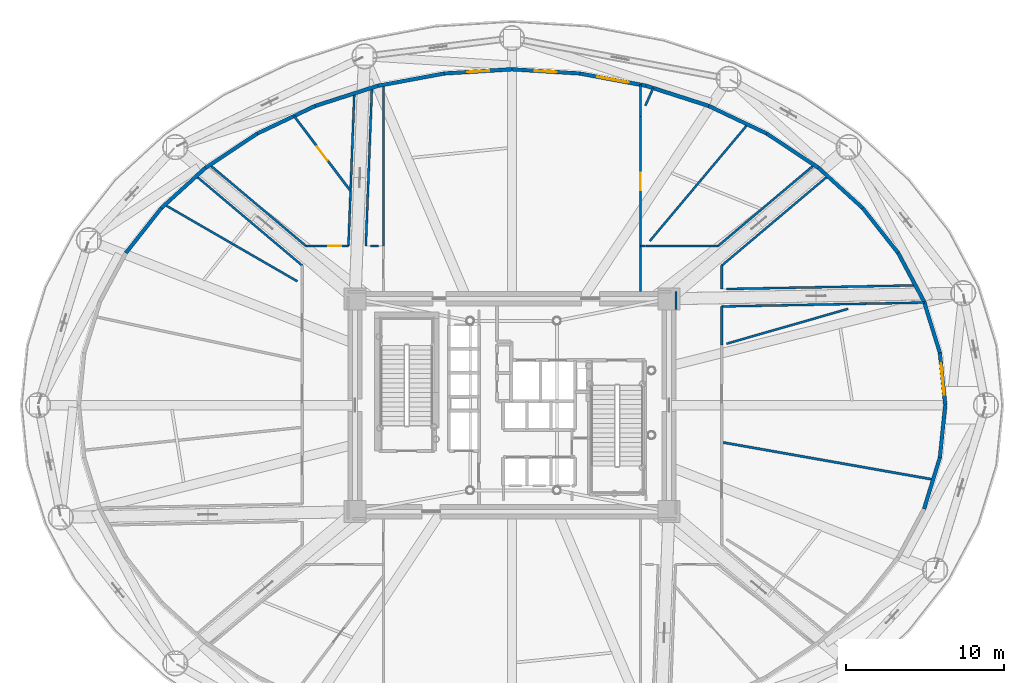
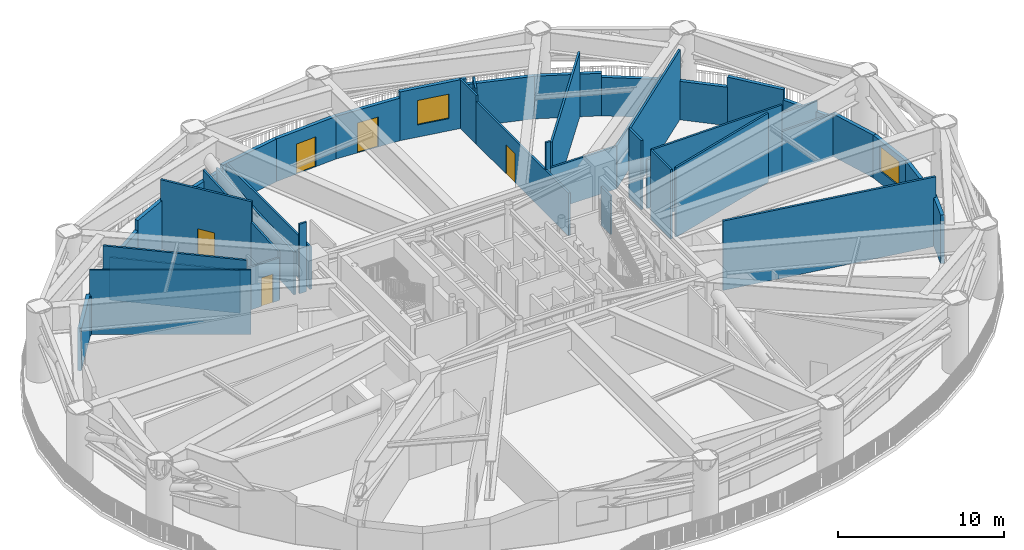
# One storey, part 14 of 22: 44 walls, 5 doors, 2 windows, 7 openings.
"""IFC4 building model written with IfcOpenShell, lengths in metres."""

from ifc_helpers import new_model, si_unit, direction, frame, frame_2d, origin, origin_2d, place, context, subcontext, project, spatial, rectangle, extrude, source, transform, mapped, material, layer, layer_set, type_object, element, fill, save


model = new_model("IFC4")

# Units and contexts
model_context = context("Model", 3, precision=1e-05, world=origin(), true_north=direction((0.0, 1.0)))
body_context = subcontext(model_context, "Body", "Model", "MODEL_VIEW")
ifc_project = project(units=[si_unit("LENGTHUNIT", "METRE"), si_unit("AREAUNIT", "SQUARE_METRE"), si_unit("VOLUMEUNIT", "CUBIC_METRE"), si_unit("PLANEANGLEUNIT", "RADIAN"), si_unit("MASSUNIT", "GRAM", prefix="KILO")], contexts=[model_context])

# Site, building, storey
site_placement = place(None, origin())
site = spatial("IfcSite", under=ifc_project, at=site_placement, CompositionType="ELEMENT")
building_placement = place(site_placement, origin())
building = spatial("IfcBuilding", under=site, at=building_placement, Name="Linh Dai School and Residence Tower", CompositionType="ELEMENT")
storey_placement = place(building_placement, frame((0.0, 0.0, 87.0)))
storey = spatial("IfcBuildingStorey", under=building, at=storey_placement, Name="L20", CompositionType="ELEMENT", Elevation=87.0)

# Wall, opening, window
ifc_material_1 = material(Name="Precast Concrete B45 (C35/45)", Category="concrete")
ifc_layer_1 = layer(ifc_material_1, 0.239990234375)
ifc_layer_set_1 = layer_set([ifc_layer_1], Name="Precast Concrete B45 (C35/45)")
wall_type_1 = type_object("IfcWallType", Name="EW-TC-240", PredefinedType="SOLIDWALL", material=ifc_layer_set_1)
wall_1_placement = place(storey_placement, frame((63.1376953125, 30.327392578125, 0.0), z_axis=(0.0, 0.0, 1.0), x_axis=(0.100884092205, -0.994898185716, 0.0)))
wall_1 = element("IfcWall", 1, at=wall_1_placement, inside=storey, type_object=wall_type_1, Name="L20 Terracotta Exterior Wall 01", PredefinedType="SOLIDWALL", context=body_context, shape_type="SweptSolid", body=[
    extrude(rectangle(XDim=3.344482421875, YDim=0.239990234375, at=frame_2d((1.67236328125, 0.0))), origin(), (0.0, 0.0, 1.0), 3.135009765625),
])
opening_1_placement = place(wall_1_placement, frame((0.672119140625, 0.0, 0.89990234375)))
opening_1 = element("IfcOpeningElement", 2, at=opening_1_placement, cuts=wall_1, Name="Opening W5", PredefinedType="OPENING", context=body_context, shape_type="SweptSolid", body=[
    extrude(rectangle(XDim=2.0, YDim=1.800048828125, at=origin_2d()), frame((1.0, 0.1298828125, 0.89990234375), z_axis=(0.0, -1.0, 0.0), x_axis=(1.0, 0.0, 0.0)), (0.0, 0.0, 1.0), 0.260009765625),
])
ifc_material_2 = material(Name="Anodised Aluminium Weather Louvre", Category="aluminium")
window_type = type_object("IfcWindowType", Name="WN-LV-2000x1800", PartitioningType="SINGLE_PANEL", PredefinedType="USERDEFINED", material=ifc_material_2)
shared_shape_1 = source(origin(), body_context, "Body", "SweptSolid", [
    extrude(rectangle(XDim=2.0, YDim=1.800048828125, at=origin_2d()), frame((1.0, 0.030029296875, 0.89990234375), z_axis=(0.0, -1.0, 0.0), x_axis=(1.0, 0.0, 0.0)), (0.0, 0.0, 1.0), 0.06005859375),
])
window_1_placement = place(opening_1_placement, origin())
window_1 = element("IfcWindow", 3, at=window_1_placement, inside=storey, type_object=window_type, Name="L20 Plant Weather Louvre 01", ObjectType="LOUVRE VENT", OverallHeight=1.800048828125, OverallWidth=2.0, PartitioningType="SINGLE_PANEL", PredefinedType="USERDEFINED", context=body_context, shape_type="MappedRepresentation", body=[
    mapped(shared_shape_1, transform((0.0, 0.0, 0.0), x_axis=(1.0, 0.0, 0.0), y_axis=(0.0, 1.0, 0.0), z_axis=(0.0, 0.0, 1.0), scale=1.0)),
])
fill(opening_1, window_1)

# Walls
wall_2_placement = place(storey_placement, frame((62.1337890625, 33.573974609375, 0.0), z_axis=(0.0, 0.0, 1.0), x_axis=(0.29541834734, -0.955367991957, 0.0)))
element("IfcWall", 4, at=wall_2_placement, inside=storey, type_object=wall_type_1, Name="L20 Terracotta Exterior Wall 02", PredefinedType="SOLIDWALL", context=body_context, shape_type="SweptSolid", body=[
    extrude(rectangle(XDim=3.398193359375, YDim=0.239990234375, at=frame_2d((1.69921875, 0.0))), origin(), (0.0, 0.0, 1.0), 3.135009765625),
])
wall_3_placement = place(storey_placement, frame((60.4873046875, 36.660400390625, 0.0), z_axis=(0.0, 0.0, 1.0), x_axis=(0.470675170758, -0.882306570095, 0.0)))
element("IfcWall", 5, at=wall_3_placement, inside=storey, type_object=wall_type_1, Name="L20 Terracotta Exterior Wall 03", PredefinedType="SOLIDWALL", context=body_context, shape_type="SweptSolid", body=[
    extrude(rectangle(XDim=3.498046875, YDim=0.239990234375, at=frame_2d((1.7490234375, 0.0))), origin(), (0.0, 0.0, 1.0), 2.83203125),
])
wall_4_placement = place(storey_placement, frame((58.237548828125, 39.5107421875, 0.0), z_axis=(0.0, 0.0, 1.0), x_axis=(0.61955708767, -0.784951600494, 0.0)))
element("IfcWall", 6, at=wall_4_placement, inside=storey, type_object=wall_type_1, Name="L20 Terracotta Exterior Wall 04", PredefinedType="SOLIDWALL", context=body_context, shape_type="SweptSolid", body=[
    extrude(rectangle(XDim=3.63134765625, YDim=0.239990234375, at=frame_2d((1.815673828125, 0.0))), origin(), (0.0, 0.0, 1.0), 3.5849609375),
])
wall_5_placement = place(storey_placement, frame((55.439453125, 42.0546875, 0.0), z_axis=(0.0, 0.0, 1.0), x_axis=(0.739910860475, -0.672704926808, 0.0)))
element("IfcWall", 7, at=wall_5_placement, inside=storey, type_object=wall_type_1, Name="L20 Terracotta Exterior Wall 05", PredefinedType="SOLIDWALL", context=body_context, shape_type="SweptSolid", body=[
    extrude(rectangle(XDim=3.78173828125, YDim=0.239990234375, at=frame_2d((1.890869140625, 0.0))), origin(), (0.0, 0.0, 1.0), 2.83203125),
])
wall_6_placement = place(storey_placement, frame((52.161376953125, 44.228271484375, 0.0), z_axis=(0.0, 0.0, 1.0), x_axis=(0.833432371142, -0.552621464235, 0.0)))
element("IfcWall", 8, at=wall_6_placement, inside=storey, type_object=wall_type_1, Name="L20 Terracotta Exterior Wall 06", PredefinedType="SOLIDWALL", context=body_context, shape_type="SweptSolid", body=[
    extrude(rectangle(XDim=3.93310546875, YDim=0.239990234375, at=frame_2d((1.966552734375, 0.0))), origin(), (0.0, 0.0, 1.0), 2.83203125),
])
wall_7_placement = place(storey_placement, frame((48.484130859375, 45.97802734375, 0.0), z_axis=(0.0, 0.0, 1.0), x_axis=(0.902985702175, -0.429670596699, 0.0)))
element("IfcWall", 9, at=wall_7_placement, inside=storey, type_object=wall_type_1, Name="L20 Terracotta Exterior Wall 07", PredefinedType="SOLIDWALL", context=body_context, shape_type="SweptSolid", body=[
    extrude(rectangle(XDim=4.072265625, YDim=0.239990234375, at=frame_2d((2.0361328125, 0.0))), origin(), (0.0, 0.0, 1.0), 3.135009765625),
])
wall_8_placement = place(storey_placement, frame((44.498291015625, 47.260009765625, 0.0), z_axis=(0.0, 0.0, 1.0), x_axis=(0.951971515403, -0.306186599742, 0.0)))
element("IfcWall", 10, at=wall_8_placement, inside=storey, type_object=wall_type_1, Name="L20 Terracotta Exterior Wall 08", PredefinedType="SOLIDWALL", context=body_context, shape_type="SweptSolid", body=[
    extrude(rectangle(XDim=4.18701171875, YDim=0.239990234375, at=frame_2d((2.093505859375, 0.0))), origin(), (0.0, 0.0, 1.0), 3.135009765625),
])

# Wall, opening, window
wall_9_placement = place(storey_placement, frame((40.30224609375, 48.0419921875, 0.0), z_axis=(0.0, 0.0, 1.0), x_axis=(0.983074270231, -0.183207475857, 0.0)))
wall_9 = element("IfcWall", 11, at=wall_9_placement, inside=storey, type_object=wall_type_1, Name="L20 Terracotta Exterior Wall 09", PredefinedType="SOLIDWALL", context=body_context, shape_type="SweptSolid", body=[
    extrude(rectangle(XDim=4.268310546875, YDim=0.239990234375, at=frame_2d((2.13427734375, 0.0))), origin(), (0.0, 0.0, 1.0), 3.5849609375),
])
opening_2_placement = place(wall_9_placement, frame((1.134033203125, 0.0, 0.89990234375)))
opening_2 = element("IfcOpeningElement", 12, at=opening_2_placement, cuts=wall_9, Name="Opening W5", PredefinedType="OPENING", context=body_context, shape_type="SweptSolid", body=[
    extrude(rectangle(XDim=2.0, YDim=1.800048828125, at=origin_2d()), frame((1.0, 0.1298828125, 0.89990234375), z_axis=(0.0, -1.0, 0.0), x_axis=(1.0, 0.0, 0.0)), (0.0, 0.0, 1.0), 0.260009765625),
])
window_2_placement = place(opening_2_placement, origin())
window_2 = element("IfcWindow", 13, at=window_2_placement, inside=storey, type_object=window_type, Name="L20 Plant Weather Louvre 09", ObjectType="LOUVRE VENT", OverallHeight=1.800048828125, OverallWidth=2.0, PartitioningType="SINGLE_PANEL", PredefinedType="USERDEFINED", context=body_context, shape_type="MappedRepresentation", body=[
    mapped(shared_shape_1, transform((0.0, 0.0, 0.0), x_axis=(1.0, 0.0, 0.0), y_axis=(0.0, 1.0, 0.0), z_axis=(0.0, 0.0, 1.0), scale=1.0)),
])
fill(opening_2, window_2)

# Wall, opening, door
wall_10_placement = place(storey_placement, frame((36.0, 48.304931640625, 0.0), z_axis=(0.0, 0.0, 1.0), x_axis=(0.998137585079, -0.061002961022, 0.0)))
wall_10 = element("IfcWall", 14, at=wall_10_placement, inside=storey, type_object=wall_type_1, Name="L20 Terracotta Exterior Wall 10", PredefinedType="SOLIDWALL", context=body_context, shape_type="SweptSolid", body=[
    extrude(rectangle(XDim=4.310302734375, YDim=0.239990234375, at=frame_2d((2.1552734375, 0.0))), origin(), (0.0, 0.0, 1.0), 3.135009765625),
])
opening_3_placement = place(wall_10_placement, frame((1.455078125, 0.0, 0.0)))
opening_3 = element("IfcOpeningElement", 15, at=opening_3_placement, cuts=wall_10, Name="Opening DD1", PredefinedType="OPENING", context=body_context, shape_type="SweptSolid", body=[
    extrude(rectangle(XDim=1.39990234375, YDim=2.199951171875, at=origin_2d()), frame((0.699951171875, 0.1298828125, 1.10009765625), z_axis=(0.0, -1.0, 0.0), x_axis=(1.0, 0.0, 0.0)), (0.0, 0.0, 1.0), 0.260009765625),
])
ifc_material_3 = material(Name="Glazed Aluminium Terrace Door", Category="aluminium")
door_type_1 = type_object("IfcDoorType", Name="DR-DECK-1400x2200", OperationType="NOTDEFINED", PredefinedType="DOOR", material=ifc_material_3)
shared_shape_2 = source(origin(), body_context, "Body", "SweptSolid", [
    extrude(rectangle(XDim=1.39990234375, YDim=2.199951171875, at=origin_2d()), frame((0.699951171875, 0.02490234375, 1.10009765625), z_axis=(0.0, -1.0, 0.0), x_axis=(1.0, 0.0, 0.0)), (0.0, 0.0, 1.0), 0.050048828125),
])
door_1_placement = place(opening_3_placement, origin())
door_1 = element("IfcDoor", 16, at=door_1_placement, inside=storey, type_object=door_type_1, Name="L20 Outdoor Terrace Access Door 10", OperationType="SINGLE_SWING_RIGHT", OverallHeight=2.199951171875, OverallWidth=1.39990234375, PredefinedType="DOOR", context=body_context, shape_type="MappedRepresentation", body=[
    mapped(shared_shape_2, transform((0.0, 0.0, 0.0), x_axis=(1.0, 0.0, 0.0), y_axis=(0.0, 1.0, 0.0), z_axis=(0.0, 0.0, 1.0), scale=1.0)),
])
fill(opening_3, door_1)

wall_11_placement = place(storey_placement, frame((31.69775390625, 48.0419921875, 0.0), z_axis=(0.0, 0.0, 1.0), x_axis=(0.998137585079, 0.061002961022, 0.0)))
wall_11 = element("IfcWall", 17, at=wall_11_placement, inside=storey, type_object=wall_type_1, Name="L20 Terracotta Exterior Wall 11", PredefinedType="SOLIDWALL", context=body_context, shape_type="SweptSolid", body=[
    extrude(rectangle(XDim=4.310302734375, YDim=0.239990234375, at=frame_2d((2.1552734375, 0.0))), origin(), (0.0, 0.0, 1.0), 3.135009765625),
])
opening_4_placement = place(wall_11_placement, frame((1.455078125, 0.0, 0.0)))
opening_4 = element("IfcOpeningElement", 18, at=opening_4_placement, cuts=wall_11, Name="Opening DD1", PredefinedType="OPENING", context=body_context, shape_type="SweptSolid", body=[
    extrude(rectangle(XDim=1.39990234375, YDim=2.199951171875, at=origin_2d()), frame((0.699951171875, 0.1298828125, 1.10009765625), z_axis=(0.0, -1.0, 0.0), x_axis=(1.0, 0.0, 0.0)), (0.0, 0.0, 1.0), 0.260009765625),
])
door_2_placement = place(opening_4_placement, origin())
door_2 = element("IfcDoor", 19, at=door_2_placement, inside=storey, type_object=door_type_1, Name="L20 Outdoor Terrace Access Door 11", OperationType="SINGLE_SWING_LEFT", OverallHeight=2.199951171875, OverallWidth=1.39990234375, PredefinedType="DOOR", context=body_context, shape_type="MappedRepresentation", body=[
    mapped(shared_shape_2, transform((0.0, 0.0, 0.0), x_axis=(1.0, 0.0, 0.0), y_axis=(0.0, 1.0, 0.0), z_axis=(0.0, 0.0, 1.0), scale=1.0)),
])
fill(opening_4, door_2)

# Walls
wall_12_placement = place(storey_placement, frame((27.501708984375, 47.260009765625, 0.0), z_axis=(0.0, 0.0, 1.0), x_axis=(0.983074270231, 0.183207475857, 0.0)))
element("IfcWall", 20, at=wall_12_placement, inside=storey, type_object=wall_type_1, Name="L20 Terracotta Exterior Wall 12", PredefinedType="SOLIDWALL", context=body_context, shape_type="SweptSolid", body=[
    extrude(rectangle(XDim=4.268310546875, YDim=0.239990234375, at=frame_2d((2.13427734375, 0.0))), origin(), (0.0, 0.0, 1.0), 3.135009765625),
])
wall_13_placement = place(storey_placement, frame((23.515869140625, 45.97802734375, 0.0), z_axis=(0.0, 0.0, 1.0), x_axis=(0.951971515403, 0.306186599742, 0.0)))
element("IfcWall", 21, at=wall_13_placement, inside=storey, type_object=wall_type_1, Name="L20 Terracotta Exterior Wall 13", PredefinedType="SOLIDWALL", context=body_context, shape_type="SweptSolid", body=[
    extrude(rectangle(XDim=4.18701171875, YDim=0.239990234375, at=frame_2d((2.093505859375, 0.0))), origin(), (0.0, 0.0, 1.0), 2.83203125),
])
wall_14_placement = place(storey_placement, frame((19.838623046875, 44.228271484375, 0.0), z_axis=(0.0, 0.0, 1.0), x_axis=(0.902985702175, 0.429670596699, 0.0)))
element("IfcWall", 22, at=wall_14_placement, inside=storey, type_object=wall_type_1, Name="L20 Terracotta Exterior Wall 14", PredefinedType="SOLIDWALL", context=body_context, shape_type="SweptSolid", body=[
    extrude(rectangle(XDim=4.072265625, YDim=0.239990234375, at=frame_2d((2.0361328125, 0.0))), origin(), (0.0, 0.0, 1.0), 3.5849609375),
])
wall_15_placement = place(storey_placement, frame((16.560546875, 42.0546875, 0.0), z_axis=(0.0, 0.0, 1.0), x_axis=(0.833432371142, 0.552621464235, 0.0)))
element("IfcWall", 23, at=wall_15_placement, inside=storey, type_object=wall_type_1, Name="L20 Terracotta Exterior Wall 15", PredefinedType="SOLIDWALL", context=body_context, shape_type="SweptSolid", body=[
    extrude(rectangle(XDim=3.93310546875, YDim=0.239990234375, at=frame_2d((1.966552734375, 0.0))), origin(), (0.0, 0.0, 1.0), 2.83203125),
])
wall_16_placement = place(storey_placement, frame((13.762451171875, 39.5107421875, 0.0), z_axis=(0.0, 0.0, 1.0), x_axis=(0.739910860475, 0.672704926808, 0.0)))
element("IfcWall", 24, at=wall_16_placement, inside=storey, type_object=wall_type_1, Name="L20 Terracotta Exterior Wall 16", PredefinedType="SOLIDWALL", context=body_context, shape_type="SweptSolid", body=[
    extrude(rectangle(XDim=3.78173828125, YDim=0.239990234375, at=frame_2d((1.890869140625, 0.0))), origin(), (0.0, 0.0, 1.0), 2.83203125),
])
wall_17_placement = place(storey_placement, frame((11.5126953125, 36.660400390625, 0.0), z_axis=(0.0, 0.0, 1.0), x_axis=(0.61955708767, 0.784951600494, 0.0)))
element("IfcWall", 25, at=wall_17_placement, inside=storey, type_object=wall_type_1, Name="L20 Terracotta Exterior Wall 17", PredefinedType="SOLIDWALL", context=body_context, shape_type="SweptSolid", body=[
    extrude(rectangle(XDim=3.63134765625, YDim=0.239990234375, at=frame_2d((1.815673828125, 0.0))), origin(), (0.0, 0.0, 1.0), 3.135009765625),
])
wall_18_placement = place(storey_placement, frame((63.1376953125, 23.672607421875, 0.0), z_axis=(0.0, 0.0, 1.0), x_axis=(-0.29541834734, -0.955367991957, 0.0)))
element("IfcWall", 26, at=wall_18_placement, inside=storey, type_object=wall_type_1, Name="L20 Terracotta Exterior Wall 39", PredefinedType="SOLIDWALL", context=body_context, shape_type="SweptSolid", body=[
    extrude(rectangle(XDim=3.398193359375, YDim=0.239990234375, at=frame_2d((1.69921875, 0.0))), origin(), (0.0, 0.0, 1.0), 3.5849609375),
])
wall_19_placement = place(storey_placement, frame((63.47509765625, 27.0, 0.0), z_axis=(0.0, 0.0, 1.0), x_axis=(-0.100884092205, -0.994898185716, 0.0)))
element("IfcWall", 27, at=wall_19_placement, inside=storey, type_object=wall_type_1, Name="L20 Terracotta Exterior Wall 40", PredefinedType="SOLIDWALL", context=body_context, shape_type="SweptSolid", body=[
    extrude(rectangle(XDim=3.344482421875, YDim=0.239990234375, at=frame_2d((1.67236328125, 0.0))), origin(), (0.0, 0.0, 1.0), 3.135009765625),
])
ifc_material_4 = material(Name="Autoclaved Aerated Concrete Blockwork", Category="masonry")
ifc_layer_2 = layer(ifc_material_4, 0.135009765625)
ifc_layer_set_2 = layer_set([ifc_layer_2], Name="Autoclaved Aerated Concrete Blockwork")
wall_type_2 = type_object("IfcWallType", Name="IW-CORR-135-EI90", PredefinedType="PARTITIONING", material=ifc_layer_set_2)
wall_20_placement = place(storey_placement, frame((16.83544921875, 42.242919921875, 0.0), z_axis=(0.0, 0.0, 1.0), x_axis=(0.764356069215, -0.644794385408, 0.0)))
element("IfcWall", 28, at=wall_20_placement, inside=storey, type_object=wall_type_2, Name="L20 Interior Partition Wall 005", PredefinedType="PARTITIONING", context=body_context, shape_type="SweptSolid", body=[
    extrude(rectangle(XDim=7.975830078125, YDim=0.135009765625, at=frame_2d((3.98779296875, 0.0))), origin(), (0.0, 0.0, 1.0), 3.135009765625),
])

# Wall, opening, door
wall_21_placement = place(storey_placement, frame((22.931884765625, 37.10009765625, 0.0), z_axis=(0.0, 0.0, 1.0), x_axis=(1.0, 0.0, 0.0)))
wall_21 = element("IfcWall", 29, at=wall_21_placement, inside=storey, type_object=wall_type_2, Name="L20 Interior Partition Wall 010", PredefinedType="PARTITIONING", context=body_context, shape_type="SweptSolid", body=[
    extrude(rectangle(XDim=2.69677734375, YDim=0.135009765625, at=frame_2d((1.348388671875, 0.0))), origin(), (0.0, 0.0, 1.0), 3.135009765625),
])
opening_5_placement = place(wall_21_placement, frame((1.429443359375, 0.0, 0.0)))
opening_5 = element("IfcOpeningElement", 30, at=opening_5_placement, cuts=wall_21, Name="Opening D06", PredefinedType="OPENING", context=body_context, shape_type="SweptSolid", body=[
    extrude(rectangle(XDim=0.820068359375, YDim=2.10009765625, at=origin_2d()), frame((0.41015625, 0.07763671875, 1.050048828125), z_axis=(0.0, -1.0, 0.0), x_axis=(1.0, 0.0, 0.0)), (0.0, 0.0, 1.0), 0.155029296875),
])
ifc_material_5 = material(Name="Moisture-Resistant Timber Bathroom Door", Category="wood")
door_type_2 = type_object("IfcDoorType", Name="DR-WET-820x2100", OperationType="NOTDEFINED", PredefinedType="DOOR", material=ifc_material_5)
shared_shape_3 = source(origin(), body_context, "Body", "SweptSolid", [
    extrude(rectangle(XDim=0.820068359375, YDim=2.10009765625, at=origin_2d()), frame((0.41015625, 0.02490234375, 1.050048828125), z_axis=(0.0, -1.0, 0.0), x_axis=(1.0, 0.0, 0.0)), (0.0, 0.0, 1.0), 0.050048828125),
])
door_3_placement = place(opening_5_placement, origin())
door_3 = element("IfcDoor", 31, at=door_3_placement, inside=storey, type_object=door_type_2, Name="L20 Zone LV Switchboard Plant Room Door", OperationType="SINGLE_SWING_RIGHT", OverallHeight=2.10009765625, OverallWidth=0.820068359375, PredefinedType="DOOR", context=body_context, shape_type="MappedRepresentation", body=[
    mapped(shared_shape_3, transform((0.0, 0.0, 0.0), x_axis=(1.0, 0.0, 0.0), y_axis=(0.0, 1.0, 0.0), z_axis=(0.0, 0.0, 1.0), scale=1.0)),
])
fill(opening_5, door_3)

# Wall
wall_22_placement = place(storey_placement, frame((25.628662109375, 37.10009765625, 0.0), z_axis=(0.0, 0.0, 1.0), x_axis=(0.038498920942, 0.999258641737, 0.0)))
element("IfcWall", 32, at=wall_22_placement, inside=storey, type_object=wall_type_2, Name="L20 Interior Partition Wall 011", PredefinedType="PARTITIONING", context=body_context, shape_type="SweptSolid", body=[
    extrude(rectangle(XDim=9.689697265625, YDim=0.135009765625, at=frame_2d((4.8447265625, 0.0))), origin(), (0.0, 0.0, 1.0), 3.5849609375),
])

# Wall, opening, door
wall_23_placement = place(storey_placement, frame((44.14990234375, 34.199951171875, 0.0), z_axis=(0.0, 0.0, 1.0), x_axis=(0.0, 1.0, 0.0)))
wall_23 = element("IfcWall", 33, at=wall_23_placement, inside=storey, type_object=wall_type_2, Name="L20 Interior Partition Wall 049", PredefinedType="PARTITIONING", context=body_context, shape_type="SweptSolid", body=[
    extrude(rectangle(XDim=11.105224609375, YDim=0.135009765625, at=frame_2d((5.552734375, 0.0))), origin(), (0.0, 0.0, 1.0), 3.135009765625),
])
opening_6_placement = place(wall_23_placement, frame((6.4326171875, 0.0, 0.0)))
opening_6 = element("IfcOpeningElement", 34, at=opening_6_placement, cuts=wall_23, Name="Opening D07", PredefinedType="OPENING", context=body_context, shape_type="SweptSolid", body=[
    extrude(rectangle(XDim=1.10009765625, YDim=2.14990234375, at=origin_2d()), frame((0.550048828125, 0.07763671875, 1.074951171875), z_axis=(0.0, -1.0, 0.0), x_axis=(1.0, 0.0, 0.0)), (0.0, 0.0, 1.0), 0.155029296875),
])
ifc_material_6 = material(Name="Fire-Rated Louvred Steel Plant Door", Category="steel")
door_type_3 = type_object("IfcDoorType", Name="DR-PLT-1100x2150-FD60S", OperationType="NOTDEFINED", PredefinedType="DOOR", material=ifc_material_6)
shared_shape_4 = source(origin(), body_context, "Body", "SweptSolid", [
    extrude(rectangle(XDim=1.10009765625, YDim=2.14990234375, at=origin_2d()), frame((0.550048828125, 0.02490234375, 1.074951171875), z_axis=(0.0, -1.0, 0.0), x_axis=(1.0, 0.0, 0.0)), (0.0, 0.0, 1.0), 0.050048828125),
])
door_4_placement = place(opening_6_placement, origin())
door_4 = element("IfcDoor", 35, at=door_4_placement, inside=storey, type_object=door_type_3, Name="L20 Zone Domestic Booster Pump Plant Room Door", OperationType="SINGLE_SWING_LEFT", OverallHeight=2.14990234375, OverallWidth=1.10009765625, PredefinedType="DOOR", context=body_context, shape_type="MappedRepresentation", body=[
    mapped(shared_shape_4, transform((0.0, 0.0, 0.0), x_axis=(1.0, 0.0, 0.0), y_axis=(0.0, 1.0, 0.0), z_axis=(0.0, 0.0, 1.0), scale=1.0)),
])
fill(opening_6, door_4)

# Walls
wall_24_placement = place(storey_placement, frame((44.14990234375, 37.10009765625, 0.0), z_axis=(0.0, 0.0, 1.0), x_axis=(1.0, 0.0, 0.0)))
element("IfcWall", 36, at=wall_24_placement, inside=storey, type_object=wall_type_2, Name="L20 Interior Partition Wall 050", PredefinedType="PARTITIONING", context=body_context, shape_type="SweptSolid", body=[
    extrude(rectangle(XDim=0.324951171875, YDim=0.135009765625, at=frame_2d((0.16259765625, 0.0))), origin(), (0.0, 0.0, 1.0), 5.10009765625),
])
wall_25_placement = place(storey_placement, frame((58.459716796875, 33.440185546875, 0.0), z_axis=(0.0, 0.0, 1.0), x_axis=(0.999815578919, 0.019204378447, 0.0)))
element("IfcWall", 37, at=wall_25_placement, inside=storey, type_object=wall_type_2, Name="L20 Interior Partition Wall 058", PredefinedType="PARTITIONING", context=body_context, shape_type="SweptSolid", body=[
    extrude(rectangle(XDim=3.699462890625, YDim=0.135009765625, at=frame_2d((1.849609375, 0.0))), origin(), (0.0, 0.0, 1.0), 3.135009765625),
])
wall_26_placement = place(storey_placement, frame((44.14990234375, 47.329833984375, 0.0), z_axis=(0.0, 0.0, 1.0), x_axis=(0.0, -1.0, 0.0)))
element("IfcWall", 38, at=wall_26_placement, inside=storey, type_object=wall_type_2, Name="L20 Interior Partition Wall 069", PredefinedType="PARTITIONING", context=body_context, shape_type="SweptSolid", body=[
    extrude(rectangle(XDim=2.0146484375, YDim=0.135009765625, at=frame_2d((1.00732421875, 0.0))), origin(), (0.0, 0.0, 1.0), 3.5849609375),
])
wall_27_placement = place(storey_placement, frame((27.85009765625, 37.110107421875, 0.0), z_axis=(0.0, 0.0, 1.0), x_axis=(0.0, 1.0, 0.0)))
element("IfcWall", 39, at=wall_27_placement, inside=storey, type_object=wall_type_2, Name="L20 Interior Partition Wall 070", PredefinedType="PARTITIONING", context=body_context, shape_type="SweptSolid", body=[
    extrude(rectangle(XDim=10.2197265625, YDim=0.135009765625, at=frame_2d((5.10986328125, 0.0))), origin(), (0.0, 0.0, 1.0), 3.135009765625),
])
wall_28_placement = place(storey_placement, frame((22.699951171875, 35.8564453125, 0.0), z_axis=(0.0, 0.0, 1.0), x_axis=(-0.764349608458, 0.64480204408, 0.0)))
element("IfcWall", 40, at=wall_28_placement, inside=storey, type_object=wall_type_2, Name="L20 Interior Partition Wall 073", PredefinedType="PARTITIONING", context=body_context, shape_type="SweptSolid", body=[
    extrude(rectangle(XDim=8.7978515625, YDim=0.135009765625, at=frame_2d((4.39892578125, 0.0))), origin(), (0.0, 0.0, 1.0), 4.72509765625),
])
wall_29_placement = place(storey_placement, frame((27.116455078125, 47.141357421875, 0.0), z_axis=(0.0, 0.0, 1.0), x_axis=(-0.03850870067, -0.999258264901, 0.0)))
element("IfcWall", 41, at=wall_29_placement, inside=storey, type_object=wall_type_2, Name="L20 Interior Partition Wall 074", PredefinedType="PARTITIONING", context=body_context, shape_type="SweptSolid", body=[
    extrude(rectangle(XDim=10.048828125, YDim=0.135009765625, at=frame_2d((5.0244140625, 0.0))), origin(), (0.0, 0.0, 1.0), 3.135009765625),
])
wall_30_placement = place(storey_placement, frame((27.037109375, 37.10009765625, 0.0), z_axis=(0.0, 0.0, 1.0), x_axis=(1.0, 0.0, 0.0)))
element("IfcWall", 42, at=wall_30_placement, inside=storey, type_object=wall_type_2, Name="L20 Interior Partition Wall 075", PredefinedType="PARTITIONING", context=body_context, shape_type="SweptSolid", body=[
    extrude(rectangle(XDim=0.4853515625, YDim=0.135009765625, at=frame_2d((0.24267578125, 0.0))), origin(), (0.0, 0.0, 1.0), 5.10009765625),
])
wall_31_placement = place(storey_placement, frame((46.39990234375, 33.06005859375, 0.0), z_axis=(0.0, 0.0, 1.0), x_axis=(0.0, 1.0, 0.0)))
element("IfcWall", 43, at=wall_31_placement, inside=storey, type_object=wall_type_2, Name="L20 Interior Partition Wall 087", PredefinedType="PARTITIONING", context=body_context, shape_type="SweptSolid", body=[
    extrude(rectangle(XDim=1.139892578125, YDim=0.135009765625, at=frame_2d((0.56982421875, 0.0))), origin(), (0.0, 0.0, 1.0), 2.83203125),
])
wall_32_placement = place(storey_placement, frame((44.48486328125, 37.10009765625, 0.0), z_axis=(0.0, 0.0, 1.0), x_axis=(1.0, 0.0, 0.0)))
element("IfcWall", 44, at=wall_32_placement, inside=storey, type_object=wall_type_2, Name="L20 Interior Partition Wall 089", PredefinedType="PARTITIONING", context=body_context, shape_type="SweptSolid", body=[
    extrude(rectangle(XDim=4.583251953125, YDim=0.135009765625, at=frame_2d((2.29150390625, 0.0))), origin(), (0.0, 0.0, 1.0), 3.135009765625),
])
wall_33_placement = place(storey_placement, frame((49.068115234375, 37.10009765625, 0.0), z_axis=(0.0, 0.0, 1.0), x_axis=(0.764356069215, 0.644794385408, 0.0)))
element("IfcWall", 45, at=wall_33_placement, inside=storey, type_object=wall_type_2, Name="L20 Interior Partition Wall 090", PredefinedType="PARTITIONING", context=body_context, shape_type="SweptSolid", body=[
    extrude(rectangle(XDim=7.975830078125, YDim=0.135009765625, at=frame_2d((3.98779296875, 0.0))), origin(), (0.0, 0.0, 1.0), 3.135009765625),
])
wall_34_placement = place(storey_placement, frame((56.024658203125, 41.529296875, 0.0), z_axis=(0.0, 0.0, 1.0), x_axis=(-0.764349608458, -0.64480204408, 0.0)))
element("IfcWall", 46, at=wall_34_placement, inside=storey, type_object=wall_type_2, Name="L20 Interior Partition Wall 091", PredefinedType="PARTITIONING", context=body_context, shape_type="SweptSolid", body=[
    extrude(rectangle(XDim=8.7978515625, YDim=0.135009765625, at=frame_2d((4.39892578125, 0.0))), origin(), (0.0, 0.0, 1.0), 5.10009765625),
])
wall_35_placement = place(storey_placement, frame((49.300048828125, 35.8564453125, 0.0), z_axis=(0.0, 0.0, 1.0), x_axis=(0.0, -1.0, 0.0)))
element("IfcWall", 47, at=wall_35_placement, inside=storey, type_object=wall_type_2, Name="L20 Interior Partition Wall 092", PredefinedType="PARTITIONING", context=body_context, shape_type="SweptSolid", body=[
    extrude(rectangle(XDim=1.491943359375, YDim=0.135009765625, at=frame_2d((0.74609375, 0.0))), origin(), (0.0, 0.0, 1.0), 5.10009765625),
])
wall_36_placement = place(storey_placement, frame((49.607421875, 34.370361328125, 0.0), z_axis=(0.0, 0.0, 1.0), x_axis=(0.999815531367, 0.019206853937, 0.0)))
element("IfcWall", 48, at=wall_36_placement, inside=storey, type_object=wall_type_2, Name="L20 Interior Partition Wall 093", PredefinedType="PARTITIONING", context=body_context, shape_type="SweptSolid", body=[
    extrude(rectangle(XDim=11.986572265625, YDim=0.135009765625, at=frame_2d((5.9931640625, 0.0))), origin(), (0.0, 0.0, 1.0), 3.5849609375),
])
wall_37_placement = place(storey_placement, frame((58.44970703125, 33.43994140625, 0.0), z_axis=(0.0, 0.0, 1.0), x_axis=(-0.999815504763, -0.019208238745, 0.0)))
element("IfcWall", 49, at=wall_37_placement, inside=storey, type_object=wall_type_2, Name="L20 Interior Partition Wall 094", PredefinedType="PARTITIONING", context=body_context, shape_type="SweptSolid", body=[
    extrude(rectangle(XDim=9.1513671875, YDim=0.135009765625, at=frame_2d((4.57568359375, 0.0))), origin(), (0.0, 0.0, 1.0), 5.10009765625),
])
wall_38_placement = place(storey_placement, frame((49.300048828125, 33.26416015625, 0.0), z_axis=(0.0, 0.0, 1.0), x_axis=(0.0, -1.0, 0.0)))
element("IfcWall", 50, at=wall_38_placement, inside=storey, type_object=wall_type_2, Name="L20 Interior Partition Wall 095", PredefinedType="PARTITIONING", context=body_context, shape_type="SweptSolid", body=[
    extrude(rectangle(XDim=2.4404296875, YDim=0.135009765625, at=frame_2d((1.22021484375, 0.0))), origin(), (0.0, 0.0, 1.0), 5.10009765625),
])
wall_39_placement = place(storey_placement, frame((49.607421875, 30.90185546875, 0.0), z_axis=(0.0, 0.0, 1.0), x_axis=(0.961262532779, 0.275634437389, 0.0)))
element("IfcWall", 51, at=wall_39_placement, inside=storey, type_object=wall_type_2, Name="L20 Interior Partition Wall 099", PredefinedType="PARTITIONING", context=body_context, shape_type="SweptSolid", body=[
    extrude(rectangle(XDim=8.01318359375, YDim=0.135009765625, at=frame_2d((4.006591796875, 0.0))), origin(), (0.0, 0.0, 1.0), 5.10009765625),
])
wall_40_placement = place(storey_placement, frame((50.946044921875, 44.81201171875, 0.0), z_axis=(0.0, 0.0, 1.0), x_axis=(-0.642786828364, -0.766045098725, 0.0)))
element("IfcWall", 52, at=wall_40_placement, inside=storey, type_object=wall_type_2, Name="L20 Interior Partition Wall 100", PredefinedType="PARTITIONING", context=body_context, shape_type="SweptSolid", body=[
    extrude(rectangle(XDim=9.666015625, YDim=0.135009765625, at=frame_2d((4.8330078125, 0.0))), origin(), (0.0, 0.0, 1.0), 4.72509765625),
])
wall_41_placement = place(storey_placement, frame((44.45751953125, 45.995849609375, 0.0), z_axis=(0.0, 0.0, 1.0), x_axis=(0.406765544652, 0.913532589284, 0.0)))
element("IfcWall", 53, at=wall_41_placement, inside=storey, type_object=wall_type_2, Name="L20 Interior Partition Wall 101", PredefinedType="PARTITIONING", context=body_context, shape_type="SweptSolid", body=[
    extrude(rectangle(XDim=1.22802734375, YDim=0.135009765625, at=frame_2d((0.614013671875, 0.0))), origin(), (0.0, 0.0, 1.0), 3.5849609375),
])
wall_42_placement = place(storey_placement, frame((13.978515625, 39.714111328125, 0.0), z_axis=(0.0, 0.0, 1.0), x_axis=(0.866023224087, -0.500003775327, 0.0)))
element("IfcWall", 54, at=wall_42_placement, inside=storey, type_object=wall_type_2, Name="L20 Interior Partition Wall 102", PredefinedType="PARTITIONING", context=body_context, shape_type="SweptSolid", body=[
    extrude(rectangle(XDim=9.7158203125, YDim=0.135009765625, at=frame_2d((4.85791015625, 0.0))), origin(), (0.0, 0.0, 1.0), 4.72509765625),
])

# Wall, opening, door
ifc_layer_3 = layer(ifc_material_4, 0.14990234375)
ifc_layer_set_3 = layer_set([ifc_layer_3], Name="Autoclaved Aerated Concrete Blockwork")
wall_type_3 = type_object("IfcWallType", Name="IW-SCH-150-EI60", PredefinedType="PARTITIONING", material=ifc_layer_set_3)
wall_43_placement = place(storey_placement, frame((22.175537109375, 45.345703125, 0.0), z_axis=(0.0, 0.0, 1.0), x_axis=(0.601807082487, -0.798641493705, 0.0)))
wall_43 = element("IfcWall", 55, at=wall_43_placement, inside=storey, type_object=wall_type_3, Name="L20 Interior Partition Wall 007", PredefinedType="PARTITIONING", context=body_context, shape_type="SweptSolid", body=[
    extrude(rectangle(XDim=5.9609375, YDim=0.14990234375, at=frame_2d((2.98046875, 0.0))), origin(), (0.0, 0.0, 1.0), 5.10009765625),
])
opening_7_placement = place(wall_43_placement, frame((2.4306640625, 0.0, 0.0)))
opening_7 = element("IfcOpeningElement", 56, at=opening_7_placement, cuts=wall_43, Name="Opening D07", PredefinedType="OPENING", context=body_context, shape_type="SweptSolid", body=[
    extrude(rectangle(XDim=1.10009765625, YDim=2.14990234375, at=origin_2d()), frame((0.550048828125, 0.0849609375, 1.074951171875), z_axis=(0.0, -1.0, 0.0), x_axis=(1.0, 0.0, 0.0)), (0.0, 0.0, 1.0), 0.169921875),
])
door_5_placement = place(opening_7_placement, origin())
door_5 = element("IfcDoor", 57, at=door_5_placement, inside=storey, type_object=door_type_3, Name="L20 Zone HV Transformer Plant Room Door", OperationType="SINGLE_SWING_LEFT", OverallHeight=2.14990234375, OverallWidth=1.10009765625, PredefinedType="DOOR", context=body_context, shape_type="MappedRepresentation", body=[
    mapped(shared_shape_4, transform((0.0, 0.0, 0.0), x_axis=(1.0, 0.0, 0.0), y_axis=(0.0, 1.0, 0.0), z_axis=(0.0, 0.0, 1.0), scale=1.0)),
])
fill(opening_7, door_5)

# Wall
wall_44_placement = place(storey_placement, frame((49.300048828125, 24.65478515625, 0.0), z_axis=(0.0, 0.0, 1.0), x_axis=(0.984807726234, -0.173648329533, 0.0)))
element("IfcWall", 58, at=wall_44_placement, inside=storey, type_object=wall_type_3, Name="L20 Interior Partition Wall 057", PredefinedType="PARTITIONING", context=body_context, shape_type="SweptSolid", body=[
    extrude(rectangle(XDim=13.622314453125, YDim=0.14990234375, at=frame_2d((6.81103515625, 0.0))), origin(), (0.0, 0.0, 1.0), 5.10009765625),
])

save(model, "model.ifc")
